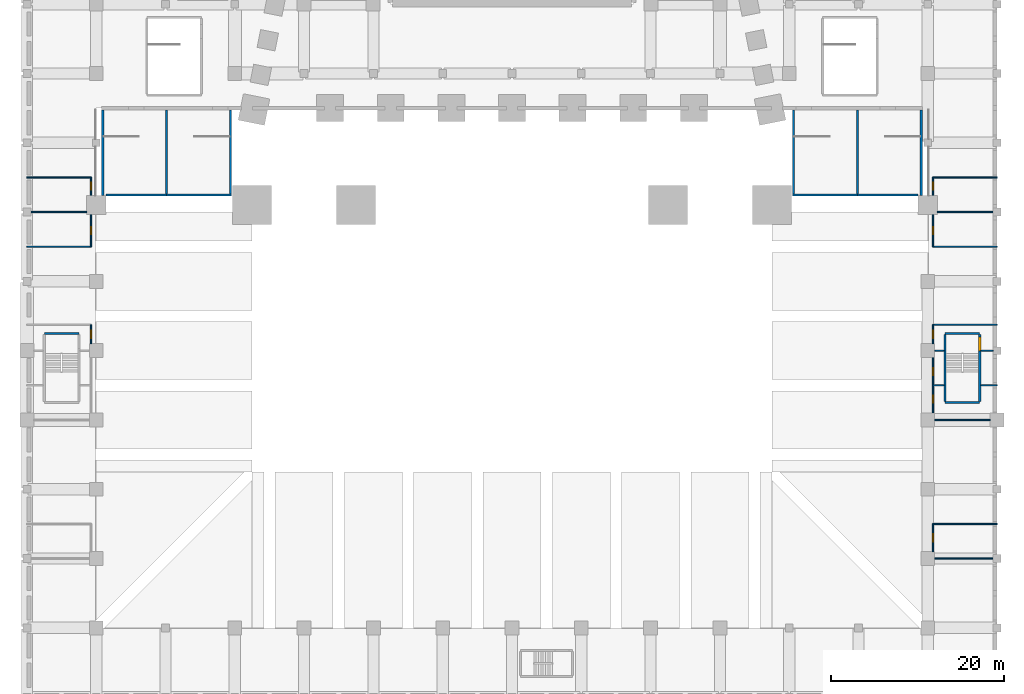
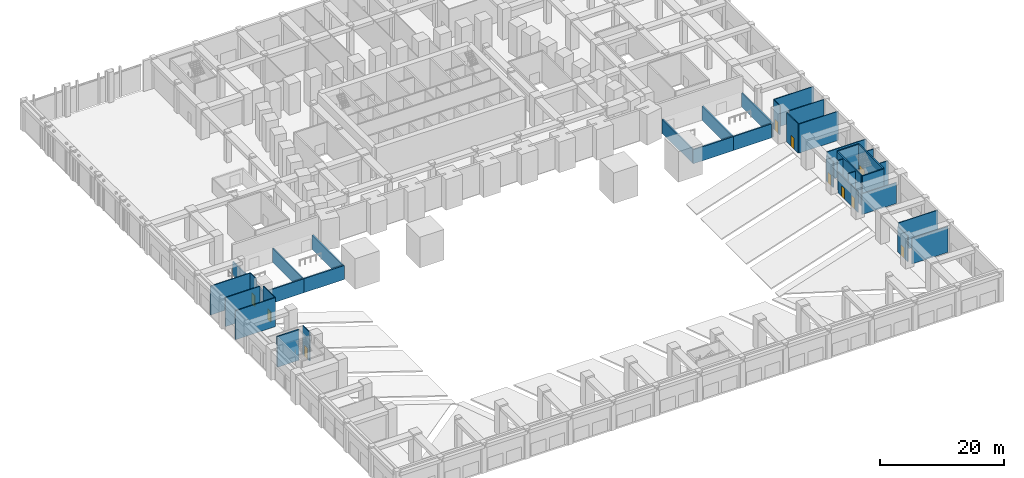
# One storey, part 9 of 28: 37 walls, 10 doors, 10 openings.
"""IFC4 building model written with IfcOpenShell, lengths in metres."""

from ifc_helpers import new_model, si_unit, direction, frame, frame_2d, origin, place, context, subcontext, project, spatial, rectangle, extrude, material, layer, layer_set, type_object, element, fill, save


model = new_model("IFC4")

# Units and contexts
model_context = context("Model", 3, precision=1e-05, world=origin(), true_north=direction((0.0, 1.0)))
body_context = subcontext(model_context, "Body", "Model", "MODEL_VIEW")
ifc_project = project(units=[si_unit("LENGTHUNIT", "METRE"), si_unit("AREAUNIT", "SQUARE_METRE"), si_unit("VOLUMEUNIT", "CUBIC_METRE"), si_unit("PLANEANGLEUNIT", "RADIAN"), si_unit("MASSUNIT", "GRAM", prefix="KILO")], contexts=[model_context])

# Site, building, storey
site_placement = place(None, origin())
site = spatial("IfcSite", under=ifc_project, at=site_placement, CompositionType="ELEMENT")
building_placement = place(site_placement, origin())
building = spatial("IfcBuilding", under=site, at=building_placement, Name="Isbrekke Arena Tower", CompositionType="ELEMENT")
storey_placement = place(building_placement, origin())
storey = spatial("IfcBuildingStorey", under=building, at=storey_placement, Name="L00", CompositionType="ELEMENT", Elevation=0.0)

# Wall, opening, door
ifc_material_1 = material(Name="Gypsum board partition on steel studs", Category="steel")
ifc_layer_1 = layer(ifc_material_1, 0.14990234375)
ifc_layer_set_1 = layer_set([ifc_layer_1], Name="IW1 PARTITION 150")
wall_type_1 = type_object("IfcWallType", Name="IW1 PARTITION 150", PredefinedType="PARTITIONING", material=ifc_layer_set_1)
wall_1_placement = place(storey_placement, frame((-48.60009765625, -33.18994140625, 0.0), z_axis=(0.0, 0.0, 1.0), x_axis=(0.0, 1.0, 0.0)))
wall_1 = element("IfcWall", 1, at=wall_1_placement, inside=storey, type_object=wall_type_1, Name="IW1 partition L00", PredefinedType="PARTITIONING", context=body_context, shape_type="SweptSolid", body=[
    extrude(rectangle(XDim=2.18994140625, YDim=0.14990234375, at=frame_2d((1.094970703125, 0.0))), origin(), (0.0, 0.0, 1.0), 5.699951171875),
])
opening_1_placement = place(wall_1_placement, frame((0.594970703125, 0.0, 0.0)))
opening_1 = element("IfcOpeningElement", 2, at=opening_1_placement, cuts=wall_1, Name="Opening D6", PredefinedType="OPENING", context=body_context, shape_type="SweptSolid", body=[
    extrude(rectangle(XDim=1.0, YDim=2.10009765625, at=frame_2d((0.5, 1.050048828125))), frame((0.0, 0.08984375, 0.0), z_axis=(0.0, -1.0, 0.0), x_axis=(1.0, 0.0, 0.0)), (0.0, 0.0, 1.0), 0.1796875),
])
ifc_material_2 = material(Name="Timber door", Category="wood")
door_type_1 = type_object("IfcDoorType", Name="D6 ROOM DOOR 1000 x 2100", OperationType="SINGLE_SWING_LEFT", PredefinedType="DOOR", material=ifc_material_2)
door_1_placement = place(opening_1_placement, origin())
door_1 = element("IfcDoor", 3, at=door_1_placement, inside=storey, type_object=door_type_1, Name="D6 door L00-30", OperationType="SINGLE_SWING_LEFT", OverallHeight=2.10009765625, OverallWidth=1.0, PredefinedType="DOOR", context=body_context, shape_type="SweptSolid", body=[
    extrude(rectangle(XDim=1.0, YDim=2.10009765625, at=frame_2d((0.5, 1.050048828125))), frame((0.0, 0.07470703125, 0.0), z_axis=(0.0, -1.0, 0.0), x_axis=(1.0, 0.0, 0.0)), (0.0, 0.0, 1.0), 0.1494140625),
])
fill(opening_1, door_1)

wall_2_placement = place(storey_placement, frame((-48.60009765625, -22.0, 0.0), z_axis=(0.0, 0.0, 1.0), x_axis=(0.0, 1.0, 0.0)))
wall_2 = element("IfcWall", 4, at=wall_2_placement, inside=storey, type_object=wall_type_1, Name="IW1 partition L00", PredefinedType="PARTITIONING", context=body_context, shape_type="SweptSolid", body=[
    extrude(rectangle(XDim=3.715087890625, YDim=0.14990234375, at=frame_2d((1.857421875, 0.0))), origin(), (0.0, 0.0, 1.0), 5.699951171875),
])
opening_2_placement = place(wall_2_placement, frame((1.357421875, 0.0, 0.0)))
opening_2 = element("IfcOpeningElement", 5, at=opening_2_placement, cuts=wall_2, Name="Opening D6", PredefinedType="OPENING", context=body_context, shape_type="SweptSolid", body=[
    extrude(rectangle(XDim=1.0, YDim=2.10009765625, at=frame_2d((0.5, 1.050048828125))), frame((0.0, 0.08984375, 0.0), z_axis=(0.0, -1.0, 0.0), x_axis=(1.0, 0.0, 0.0)), (0.0, 0.0, 1.0), 0.1796875),
])
door_2_placement = place(opening_2_placement, origin())
door_2 = element("IfcDoor", 6, at=door_2_placement, inside=storey, type_object=door_type_1, Name="D6 door L00-16", OperationType="SINGLE_SWING_LEFT", OverallHeight=2.10009765625, OverallWidth=1.0, PredefinedType="DOOR", context=body_context, shape_type="SweptSolid", body=[
    extrude(rectangle(XDim=1.0, YDim=2.10009765625, at=frame_2d((0.5, 1.050048828125))), frame((0.0, 0.07470703125, 0.0), z_axis=(0.0, -1.0, 0.0), x_axis=(1.0, 0.0, 0.0)), (0.0, 0.0, 1.0), 0.1494140625),
])
fill(opening_2, door_2)

wall_3_placement = place(storey_placement, frame((-48.60009765625, -16.06494140625, 0.0), z_axis=(0.0, 0.0, 1.0), x_axis=(0.0, 1.0, 0.0)))
wall_3 = element("IfcWall", 7, at=wall_3_placement, inside=storey, type_object=wall_type_1, Name="IW1 partition L00", PredefinedType="PARTITIONING", context=body_context, shape_type="SweptSolid", body=[
    extrude(rectangle(XDim=2.06494140625, YDim=0.14990234375, at=frame_2d((1.032470703125, 0.0))), origin(), (0.0, 0.0, 1.0), 5.699951171875),
])
opening_3_placement = place(wall_3_placement, frame((0.56494140625, 0.0, 0.0)))
opening_3 = element("IfcOpeningElement", 8, at=opening_3_placement, cuts=wall_3, Name="Opening D6", PredefinedType="OPENING", context=body_context, shape_type="SweptSolid", body=[
    extrude(rectangle(XDim=1.0, YDim=2.10009765625, at=frame_2d((0.5, 1.050048828125))), frame((0.0, 0.08984375, 0.0), z_axis=(0.0, -1.0, 0.0), x_axis=(1.0, 0.0, 0.0)), (0.0, 0.0, 1.0), 0.1796875),
])
door_3_placement = place(opening_3_placement, origin())
door_3 = element("IfcDoor", 9, at=door_3_placement, inside=storey, type_object=door_type_1, Name="D6 door L00-17", OperationType="SINGLE_SWING_LEFT", OverallHeight=2.10009765625, OverallWidth=1.0, PredefinedType="DOOR", context=body_context, shape_type="SweptSolid", body=[
    extrude(rectangle(XDim=1.0, YDim=2.10009765625, at=frame_2d((0.5, 1.050048828125))), frame((0.0, 0.07470703125, 0.0), z_axis=(0.0, -1.0, 0.0), x_axis=(1.0, 0.0, 0.0)), (0.0, 0.0, 1.0), 0.1494140625),
])
fill(opening_3, door_3)

wall_4_placement = place(storey_placement, frame((48.60009765625, -57.18994140625, 0.0), z_axis=(0.0, 0.0, 1.0), x_axis=(0.0, 1.0, 0.0)))
wall_4 = element("IfcWall", 10, at=wall_4_placement, inside=storey, type_object=wall_type_1, Name="IW1 partition L00", PredefinedType="PARTITIONING", context=body_context, shape_type="SweptSolid", body=[
    extrude(rectangle(XDim=3.18994140625, YDim=0.14990234375, at=frame_2d((1.594970703125, 0.0))), origin(), (0.0, 0.0, 1.0), 5.050048828125),
])
opening_4_placement = place(wall_4_placement, frame((1.094970703125, 0.0, 0.0)))
opening_4 = element("IfcOpeningElement", 11, at=opening_4_placement, cuts=wall_4, Name="Opening D6", PredefinedType="OPENING", context=body_context, shape_type="SweptSolid", body=[
    extrude(rectangle(XDim=1.0, YDim=2.10009765625, at=frame_2d((0.5, 1.050048828125))), frame((0.0, 0.08984375, 0.0), z_axis=(0.0, -1.0, 0.0), x_axis=(1.0, 0.0, 0.0)), (0.0, 0.0, 1.0), 0.1796875),
])
door_4_placement = place(opening_4_placement, origin())
door_4 = element("IfcDoor", 12, at=door_4_placement, inside=storey, type_object=door_type_1, Name="D6 door L00-12", OperationType="SINGLE_SWING_LEFT", OverallHeight=2.10009765625, OverallWidth=1.0, PredefinedType="DOOR", context=body_context, shape_type="SweptSolid", body=[
    extrude(rectangle(XDim=1.0, YDim=2.10009765625, at=frame_2d((0.5, 1.050048828125))), frame((0.0, 0.07470703125, 0.0), z_axis=(0.0, -1.0, 0.0), x_axis=(1.0, 0.0, 0.0)), (0.0, 0.0, 1.0), 0.1494140625),
])
fill(opening_4, door_4)

# Wall, openings, doors
wall_5_placement = place(storey_placement, frame((48.60009765625, -41.18994140625, 0.0), z_axis=(0.0, 0.0, 1.0), x_axis=(0.0, 1.0, 0.0)))
wall_5 = element("IfcWall", 13, at=wall_5_placement, inside=storey, type_object=wall_type_1, Name="IW1 partition L00", PredefinedType="PARTITIONING", context=body_context, shape_type="SweptSolid", body=[
    extrude(rectangle(XDim=6.3798828125, YDim=0.14990234375, at=frame_2d((3.18994140625, 0.0))), origin(), (0.0, 0.0, 1.0), 4.10009765625),
])
opening_5_placement = place(wall_5_placement, frame((1.094970703125, 0.0, 0.0)))
opening_5 = element("IfcOpeningElement", 14, at=opening_5_placement, cuts=wall_5, Name="Opening D6", PredefinedType="OPENING", context=body_context, shape_type="SweptSolid", body=[
    extrude(rectangle(XDim=1.0, YDim=2.10009765625, at=frame_2d((0.5, 1.050048828125))), frame((0.0, 0.08984375, 0.0), z_axis=(0.0, -1.0, 0.0), x_axis=(1.0, 0.0, 0.0)), (0.0, 0.0, 1.0), 0.1796875),
])
opening_6_placement = place(wall_5_placement, frame((4.284912109375, 0.0, 0.0)))
opening_6 = element("IfcOpeningElement", 15, at=opening_6_placement, cuts=wall_5, Name="Opening D6", PredefinedType="OPENING", context=body_context, shape_type="SweptSolid", body=[
    extrude(rectangle(XDim=1.0, YDim=2.10009765625, at=frame_2d((0.5, 1.050048828125))), frame((0.0, 0.08984375, 0.0), z_axis=(0.0, -1.0, 0.0), x_axis=(1.0, 0.0, 0.0)), (0.0, 0.0, 1.0), 0.1796875),
])
door_5_placement = place(opening_5_placement, origin())
door_5 = element("IfcDoor", 16, at=door_5_placement, inside=storey, type_object=door_type_1, Name="D6 door L00-24", OperationType="SINGLE_SWING_LEFT", OverallHeight=2.10009765625, OverallWidth=1.0, PredefinedType="DOOR", context=body_context, shape_type="SweptSolid", body=[
    extrude(rectangle(XDim=1.0, YDim=2.10009765625, at=frame_2d((0.5, 1.050048828125))), frame((0.0, 0.07470703125, 0.0), z_axis=(0.0, -1.0, 0.0), x_axis=(1.0, 0.0, 0.0)), (0.0, 0.0, 1.0), 0.1494140625),
])
fill(opening_5, door_5)
door_6_placement = place(opening_6_placement, origin())
door_6 = element("IfcDoor", 17, at=door_6_placement, inside=storey, type_object=door_type_1, Name="D6 door L00-25", OperationType="SINGLE_SWING_LEFT", OverallHeight=2.10009765625, OverallWidth=1.0, PredefinedType="DOOR", context=body_context, shape_type="SweptSolid", body=[
    extrude(rectangle(XDim=1.0, YDim=2.10009765625, at=frame_2d((0.5, 1.050048828125))), frame((0.0, 0.07470703125, 0.0), z_axis=(0.0, -1.0, 0.0), x_axis=(1.0, 0.0, 0.0)), (0.0, 0.0, 1.0), 0.1494140625),
])
fill(opening_6, door_6)

# Wall, opening, door
wall_6_placement = place(storey_placement, frame((48.60009765625, -33.18994140625, 0.0), z_axis=(0.0, 0.0, 1.0), x_axis=(0.0, 1.0, 0.0)))
wall_6 = element("IfcWall", 18, at=wall_6_placement, inside=storey, type_object=wall_type_1, Name="IW1 partition L00", PredefinedType="PARTITIONING", context=body_context, shape_type="SweptSolid", body=[
    extrude(rectangle(XDim=2.18994140625, YDim=0.14990234375, at=frame_2d((1.094970703125, 0.0))), origin(), (0.0, 0.0, 1.0), 5.050048828125),
])
opening_7_placement = place(wall_6_placement, frame((0.594970703125, 0.0, 0.0)))
opening_7 = element("IfcOpeningElement", 19, at=opening_7_placement, cuts=wall_6, Name="Opening D6", PredefinedType="OPENING", context=body_context, shape_type="SweptSolid", body=[
    extrude(rectangle(XDim=1.0, YDim=2.10009765625, at=frame_2d((0.5, 1.050048828125))), frame((0.0, 0.08984375, 0.0), z_axis=(0.0, -1.0, 0.0), x_axis=(1.0, 0.0, 0.0)), (0.0, 0.0, 1.0), 0.1796875),
])
door_7_placement = place(opening_7_placement, origin())
door_7 = element("IfcDoor", 20, at=door_7_placement, inside=storey, type_object=door_type_1, Name="D6 door L00-26", OperationType="SINGLE_SWING_LEFT", OverallHeight=2.10009765625, OverallWidth=1.0, PredefinedType="DOOR", context=body_context, shape_type="SweptSolid", body=[
    extrude(rectangle(XDim=1.0, YDim=2.10009765625, at=frame_2d((0.5, 1.050048828125))), frame((0.0, 0.07470703125, 0.0), z_axis=(0.0, -1.0, 0.0), x_axis=(1.0, 0.0, 0.0)), (0.0, 0.0, 1.0), 0.1494140625),
])
fill(opening_7, door_7)

wall_7_placement = place(storey_placement, frame((48.60009765625, -22.0, 0.0), z_axis=(0.0, 0.0, 1.0), x_axis=(0.0, 1.0, 0.0)))
wall_7 = element("IfcWall", 21, at=wall_7_placement, inside=storey, type_object=wall_type_1, Name="IW1 partition L00", PredefinedType="PARTITIONING", context=body_context, shape_type="SweptSolid", body=[
    extrude(rectangle(XDim=3.715087890625, YDim=0.14990234375, at=frame_2d((1.857421875, 0.0))), origin(), (0.0, 0.0, 1.0), 5.699951171875),
])
opening_8_placement = place(wall_7_placement, frame((1.357421875, 0.0, 0.0)))
opening_8 = element("IfcOpeningElement", 22, at=opening_8_placement, cuts=wall_7, Name="Opening D6", PredefinedType="OPENING", context=body_context, shape_type="SweptSolid", body=[
    extrude(rectangle(XDim=1.0, YDim=2.10009765625, at=frame_2d((0.5, 1.050048828125))), frame((0.0, 0.08984375, 0.0), z_axis=(0.0, -1.0, 0.0), x_axis=(1.0, 0.0, 0.0)), (0.0, 0.0, 1.0), 0.1796875),
])
door_8_placement = place(opening_8_placement, origin())
door_8 = element("IfcDoor", 23, at=door_8_placement, inside=storey, type_object=door_type_1, Name="D6 door L00-13", OperationType="SINGLE_SWING_LEFT", OverallHeight=2.10009765625, OverallWidth=1.0, PredefinedType="DOOR", context=body_context, shape_type="SweptSolid", body=[
    extrude(rectangle(XDim=1.0, YDim=2.10009765625, at=frame_2d((0.5, 1.050048828125))), frame((0.0, 0.07470703125, 0.0), z_axis=(0.0, -1.0, 0.0), x_axis=(1.0, 0.0, 0.0)), (0.0, 0.0, 1.0), 0.1494140625),
])
fill(opening_8, door_8)

wall_8_placement = place(storey_placement, frame((48.60009765625, -16.06494140625, 0.0), z_axis=(0.0, 0.0, 1.0), x_axis=(0.0, 1.0, 0.0)))
wall_8 = element("IfcWall", 24, at=wall_8_placement, inside=storey, type_object=wall_type_1, Name="IW1 partition L00", PredefinedType="PARTITIONING", context=body_context, shape_type="SweptSolid", body=[
    extrude(rectangle(XDim=2.06494140625, YDim=0.14990234375, at=frame_2d((1.032470703125, 0.0))), origin(), (0.0, 0.0, 1.0), 5.699951171875),
])
opening_9_placement = place(wall_8_placement, frame((0.56494140625, 0.0, 0.0)))
opening_9 = element("IfcOpeningElement", 25, at=opening_9_placement, cuts=wall_8, Name="Opening D6", PredefinedType="OPENING", context=body_context, shape_type="SweptSolid", body=[
    extrude(rectangle(XDim=1.0, YDim=2.10009765625, at=frame_2d((0.5, 1.050048828125))), frame((0.0, 0.08984375, 0.0), z_axis=(0.0, -1.0, 0.0), x_axis=(1.0, 0.0, 0.0)), (0.0, 0.0, 1.0), 0.1796875),
])
door_9_placement = place(opening_9_placement, origin())
door_9 = element("IfcDoor", 26, at=door_9_placement, inside=storey, type_object=door_type_1, Name="D6 door L00-14", OperationType="SINGLE_SWING_LEFT", OverallHeight=2.10009765625, OverallWidth=1.0, PredefinedType="DOOR", context=body_context, shape_type="SweptSolid", body=[
    extrude(rectangle(XDim=1.0, YDim=2.10009765625, at=frame_2d((0.5, 1.050048828125))), frame((0.0, 0.07470703125, 0.0), z_axis=(0.0, -1.0, 0.0), x_axis=(1.0, 0.0, 0.0)), (0.0, 0.0, 1.0), 0.1494140625),
])
fill(opening_9, door_9)

# Walls
wall_9_placement = place(storey_placement, frame((48.81005859375, -58.0, 0.0), z_axis=(0.0, 0.0, 1.0), x_axis=(1.0, 0.0, 0.0)))
element("IfcWall", 27, at=wall_9_placement, inside=storey, type_object=wall_type_1, Name="IW1 partition L00", PredefinedType="PARTITIONING", context=body_context, shape_type="SweptSolid", body=[
    extrude(rectangle(XDim=6.72998046875, YDim=0.14990234375, at=frame_2d((3.364990234375, 0.0))), origin(), (0.0, 0.0, 1.0), 5.050048828125),
])
wall_10_placement = place(storey_placement, frame((48.60009765625, -54.0, 0.0), z_axis=(0.0, 0.0, 1.0), x_axis=(1.0, 0.0, 0.0)))
element("IfcWall", 28, at=wall_10_placement, inside=storey, type_object=wall_type_1, Name="IW1 partition L00", PredefinedType="PARTITIONING", context=body_context, shape_type="SweptSolid", body=[
    extrude(rectangle(XDim=7.39990234375, YDim=0.14990234375, at=frame_2d((3.699951171875, 0.0))), origin(), (0.0, 0.0, 1.0), 5.699951171875),
])
wall_11_placement = place(storey_placement, frame((48.81005859375, -42.0, 0.0), z_axis=(0.0, 0.0, 1.0), x_axis=(1.0, 0.0, 0.0)))
element("IfcWall", 29, at=wall_11_placement, inside=storey, type_object=wall_type_1, Name="IW1 partition L00", PredefinedType="PARTITIONING", context=body_context, shape_type="SweptSolid", body=[
    extrude(rectangle(XDim=6.3798828125, YDim=0.14990234375, at=frame_2d((3.18994140625, 0.0))), origin(), (0.0, 0.0, 1.0), 4.10009765625),
])
wall_12_placement = place(storey_placement, frame((48.60009765625, -38.0, 0.0), z_axis=(0.0, 0.0, 1.0), x_axis=(1.0, 0.0, 0.0)))
element("IfcWall", 30, at=wall_12_placement, inside=storey, type_object=wall_type_1, Name="IW1 partition L00", PredefinedType="PARTITIONING", context=body_context, shape_type="SweptSolid", body=[
    extrude(rectangle(XDim=1.27490234375, YDim=0.14990234375, at=frame_2d((0.637451171875, 0.0))), origin(), (0.0, 0.0, 1.0), 5.699951171875),
])
wall_13_placement = place(storey_placement, frame((54.125, -38.0, 0.0), z_axis=(0.0, 0.0, 1.0), x_axis=(1.0, 0.0, 0.0)))
element("IfcWall", 31, at=wall_13_placement, inside=storey, type_object=wall_type_1, Name="IW1 partition L00", PredefinedType="PARTITIONING", context=body_context, shape_type="SweptSolid", body=[
    extrude(rectangle(XDim=1.875, YDim=0.14990234375, at=frame_2d((0.9375, 0.0))), origin(), (0.0, 0.0, 1.0), 5.699951171875),
])
wall_14_placement = place(storey_placement, frame((48.81005859375, -34.0, 0.0), z_axis=(0.0, 0.0, 1.0), x_axis=(1.0, 0.0, 0.0)))
element("IfcWall", 32, at=wall_14_placement, inside=storey, type_object=wall_type_1, Name="IW1 partition L00", PredefinedType="PARTITIONING", context=body_context, shape_type="SweptSolid", body=[
    extrude(rectangle(XDim=1.06494140625, YDim=0.14990234375, at=frame_2d((0.532470703125, 0.0))), origin(), (0.0, 0.0, 1.0), 5.699951171875),
])
wall_15_placement = place(storey_placement, frame((54.125, -34.0, 0.0), z_axis=(0.0, 0.0, 1.0), x_axis=(1.0, 0.0, 0.0)))
element("IfcWall", 33, at=wall_15_placement, inside=storey, type_object=wall_type_1, Name="IW1 partition L00", PredefinedType="PARTITIONING", context=body_context, shape_type="SweptSolid", body=[
    extrude(rectangle(XDim=1.4150390625, YDim=0.14990234375, at=frame_2d((0.70751953125, 0.0))), origin(), (0.0, 0.0, 1.0), 5.699951171875),
])
for number, where, z_axis, x_axis, name in (
    (34, (48.60009765625, -31.0, 0.0), (0.0, 0.0, 1.0), (1.0, 0.0, 0.0), "IW1 partition L00"),
    (35, (-56.0, -22.0, 0.0), (0.0, 0.0, 1.0), (1.0, 0.0, 0.0), "IW1 partition L00"),
    (36, (48.60009765625, -22.0, 0.0), (0.0, 0.0, 1.0), (1.0, 0.0, 0.0), "IW1 partition L00"),
):
    element("IfcWall", number, at=place(storey_placement, frame(where, z_axis=z_axis, x_axis=x_axis)), inside=storey, type_object=wall_type_1, Name=name, PredefinedType="PARTITIONING", context=body_context, shape_type="SweptSolid", body=[
        extrude(rectangle(XDim=7.39990234375, YDim=0.14990234375, at=frame_2d((3.699951171875, 0.0))), origin(), (0.0, 0.0, 1.0), 5.699951171875),
    ])
for number, where, z_axis, x_axis, name in (
    (37, (-55.5400390625, -18.0, 0.0), (0.0, 0.0, 1.0), (1.0, 0.0, 0.0), "IW1 partition L00"),
    (38, (49.110107421875, -18.0, 0.0), (0.0, 0.0, 1.0), (1.0, 0.0, 0.0), "IW1 partition L00"),
):
    element("IfcWall", number, at=place(storey_placement, frame(where, z_axis=z_axis, x_axis=x_axis)), inside=storey, type_object=wall_type_1, Name=name, PredefinedType="PARTITIONING", context=body_context, shape_type="SweptSolid", body=[
        extrude(rectangle(XDim=6.429931640625, YDim=0.14990234375, at=frame_2d((3.21484375, 0.0))), origin(), (0.0, 0.0, 1.0), 5.699951171875),
    ])
for number, where, z_axis, x_axis, name in (
    (39, (-56.0, -14.0, 0.0), (0.0, 0.0, 1.0), (1.0, 0.0, 0.0), "IW1 partition L00"),
    (40, (48.60009765625, -14.0, 0.0), (0.0, 0.0, 1.0), (1.0, 0.0, 0.0), "IW1 partition L00"),
):
    element("IfcWall", number, at=place(storey_placement, frame(where, z_axis=z_axis, x_axis=x_axis)), inside=storey, type_object=wall_type_1, Name=name, PredefinedType="PARTITIONING", context=body_context, shape_type="SweptSolid", body=[
        extrude(rectangle(XDim=7.39990234375, YDim=0.14990234375, at=frame_2d((3.699951171875, 0.0))), origin(), (0.0, 0.0, 1.0), 5.699951171875),
    ])
ifc_material_3 = material(Name="Concrete B45 (C45/55)", Category="concrete")
ifc_layer_2 = layer(ifc_material_3, 0.25)
ifc_layer_set_2 = layer_set([ifc_layer_2], Name="SW1 STAIR ENCLOSURE WALL 250")
wall_type_2 = type_object("IfcWallType", Name="SW1 STAIR ENCLOSURE WALL 250", PredefinedType="SOLIDWALL", material=ifc_layer_set_2)
for number, where, z_axis, x_axis, name in (
    (41, (50.0, -40.0, 0.0), (0.0, 0.0, 1.0), (1.0, 0.0, 0.0), "SW1 stair wall P3 S L00"),
    (42, (54.0, -32.0, 0.0), (0.0, 0.0, 1.0), (-1.0, 0.0, 0.0), "SW1 stair wall P3 N L00"),
):
    element("IfcWall", number, at=place(storey_placement, frame(where, z_axis=z_axis, x_axis=x_axis)), inside=storey, type_object=wall_type_2, Name=name, PredefinedType="SOLIDWALL", context=body_context, shape_type="SweptSolid", body=[
        extrude(rectangle(XDim=4.0, YDim=0.25, at=frame_2d((2.0, 0.0))), origin(), (0.0, 0.0, 1.0), 6.0),
    ])

# Wall, opening, door
wall_16_placement = place(storey_placement, frame((54.0, -39.875, 0.0), z_axis=(0.0, 0.0, 1.0), x_axis=(0.0, 1.0, 0.0)))
wall_16 = element("IfcWall", 43, at=wall_16_placement, inside=storey, type_object=wall_type_2, Name="SW1 stair wall P3 E L00", PredefinedType="SOLIDWALL", context=body_context, shape_type="SweptSolid", body=[
    extrude(rectangle(XDim=7.75, YDim=0.25, at=frame_2d((3.875, 0.0))), origin(), (0.0, 0.0, 1.0), 6.0),
])
opening_10_placement = place(wall_16_placement, frame((5.85009765625, 0.0, 0.0)))
opening_10 = element("IfcOpeningElement", 44, at=opening_10_placement, cuts=wall_16, Name="Opening D7", PredefinedType="OPENING", context=body_context, shape_type="SweptSolid", body=[
    extrude(rectangle(XDim=1.60009765625, YDim=2.10009765625, at=frame_2d((0.800048828125, 1.050048828125))), frame((0.0, 0.139892578125, 0.0), z_axis=(0.0, -1.0, 0.0), x_axis=(1.0, 0.0, 0.0)), (0.0, 0.0, 1.0), 0.27978515625),
])
ifc_material_4 = material(Name="Steel fire door", Category="steel")
door_type_2 = type_object("IfcDoorType", Name="D7 PODIUM STAIR DOOR 1600 x 2100", OperationType="DOUBLE_DOOR_SINGLE_SWING", PredefinedType="DOOR", material=ifc_material_4)
door_10_placement = place(opening_10_placement, origin())
door_10 = element("IfcDoor", 45, at=door_10_placement, inside=storey, type_object=door_type_2, Name="D7 stair door P3 L00", OperationType="DOUBLE_DOOR_SINGLE_SWING", OverallHeight=2.10009765625, OverallWidth=1.60009765625, PredefinedType="DOOR", context=body_context, shape_type="SweptSolid", body=[
    extrude(rectangle(XDim=1.60009765625, YDim=2.10009765625, at=frame_2d((0.800048828125, 1.050048828125))), frame((0.0, 0.124755859375, 0.0), z_axis=(0.0, -1.0, 0.0), x_axis=(1.0, 0.0, 0.0)), (0.0, 0.0, 1.0), 0.24951171875),
])
fill(opening_10, door_10)

# Walls
wall_17_placement = place(storey_placement, frame((50.0, -32.125, 0.0), z_axis=(0.0, 0.0, 1.0), x_axis=(0.0, -1.0, 0.0)))
element("IfcWall", 46, at=wall_17_placement, inside=storey, type_object=wall_type_2, Name="SW1 stair wall P3 W L00", PredefinedType="SOLIDWALL", context=body_context, shape_type="SweptSolid", body=[
    extrude(rectangle(XDim=7.75, YDim=0.25, at=frame_2d((3.875, 0.0))), origin(), (0.0, 0.0, 1.0), 6.0),
])
wall_18_placement = place(storey_placement, frame((-50.0, -32.0, 0.0), z_axis=(0.0, 0.0, 1.0), x_axis=(-1.0, 0.0, 0.0)))
element("IfcWall", 47, at=wall_18_placement, inside=storey, type_object=wall_type_2, Name="SW1 stair wall P4 N L00", PredefinedType="SOLIDWALL", context=body_context, shape_type="SweptSolid", body=[
    extrude(rectangle(XDim=4.0, YDim=0.25, at=frame_2d((2.0, 0.0))), origin(), (0.0, 0.0, 1.0), 6.0),
])
ifc_material_5 = material(Name="Concrete B45 (C45/55)", Category="concrete")
ifc_layer_3 = layer(ifc_material_5, 0.25)
ifc_layer_set_3 = layer_set([ifc_layer_3], Name="SW2 EXIT STAIR WALL 250")
wall_type_3 = type_object("IfcWallType", Name="SW2 EXIT STAIR WALL 250", PredefinedType="SOLIDWALL", material=ifc_layer_set_3)
wall_19_placement = place(storey_placement, frame((32.375, -16.02490234375, 0.0), z_axis=(0.0, 0.0, 1.0), x_axis=(1.0, 0.0, 0.0)))
element("IfcWall", 48, at=wall_19_placement, inside=storey, type_object=wall_type_3, Name="SW2 exit stair wall ES1 L00", PredefinedType="SOLIDWALL", context=body_context, shape_type="SweptSolid", body=[
    extrude(rectangle(XDim=7.5, YDim=0.25, at=frame_2d((3.75, 0.0))), origin(), (0.0, 0.0, 1.0), 2.75),
])
wall_20_placement = place(storey_placement, frame((39.875, -16.02490234375, 0.0), z_axis=(0.0, 0.0, 1.0), x_axis=(1.0, 0.0, 0.0)))
element("IfcWall", 49, at=wall_20_placement, inside=storey, type_object=wall_type_3, Name="SW2 exit stair wall ES2 L00", PredefinedType="SOLIDWALL", context=body_context, shape_type="SweptSolid", body=[
    extrude(rectangle(XDim=7.02490234375, YDim=0.25, at=frame_2d((3.512451171875, 0.0))), origin(), (0.0, 0.0, 1.0), 2.75),
])
for number, where, z_axis, x_axis, name in (
    (50, (32.5, -15.89990234375, 0.0), (0.0, 0.0, 1.0), (0.0, 1.0, 0.0), "SW2 exit stair wall EW L00"),
    (51, (39.875, -15.89990234375, 0.0), (0.0, 0.0, 1.0), (0.0, 1.0, 0.0), "SW2 exit stair wall EM L00"),
):
    element("IfcWall", number, at=place(storey_placement, frame(where, z_axis=z_axis, x_axis=x_axis)), inside=storey, type_object=wall_type_3, Name=name, PredefinedType="SOLIDWALL", context=body_context, shape_type="SweptSolid", body=[
        extrude(rectangle(XDim=9.699951171875, YDim=0.25, at=frame_2d((4.85009765625, 0.0))), origin(), (0.0, 0.0, 1.0), 2.75),
    ])
wall_21_placement = place(storey_placement, frame((47.25, -16.074951171875, 0.0), z_axis=(0.0, 0.0, 1.0), x_axis=(0.0, 1.0, 0.0)))
element("IfcWall", 52, at=wall_21_placement, inside=storey, type_object=wall_type_3, Name="SW2 exit stair wall EE L00", PredefinedType="SOLIDWALL", context=body_context, shape_type="SweptSolid", body=[
    extrude(rectangle(XDim=9.875, YDim=0.25, at=frame_2d((4.9375, 0.0))), origin(), (0.0, 0.0, 1.0), 2.75),
])
wall_22_placement = place(storey_placement, frame((-32.375, -16.02490234375, 0.0), z_axis=(0.0, 0.0, 1.0), x_axis=(-1.0, 0.0, 0.0)))
element("IfcWall", 53, at=wall_22_placement, inside=storey, type_object=wall_type_3, Name="SW2 exit stair wall WS1 L00", PredefinedType="SOLIDWALL", context=body_context, shape_type="SweptSolid", body=[
    extrude(rectangle(XDim=7.5, YDim=0.25, at=frame_2d((3.75, 0.0))), origin(), (0.0, 0.0, 1.0), 2.75),
])
wall_23_placement = place(storey_placement, frame((-39.875, -16.02490234375, 0.0), z_axis=(0.0, 0.0, 1.0), x_axis=(-1.0, 0.0, 0.0)))
element("IfcWall", 54, at=wall_23_placement, inside=storey, type_object=wall_type_3, Name="SW2 exit stair wall WS2 L00", PredefinedType="SOLIDWALL", context=body_context, shape_type="SweptSolid", body=[
    extrude(rectangle(XDim=7.02490234375, YDim=0.25, at=frame_2d((3.512451171875, 0.0))), origin(), (0.0, 0.0, 1.0), 2.75),
])
for number, where, z_axis, x_axis, name in (
    (55, (-32.5, -15.89990234375, 0.0), (0.0, 0.0, 1.0), (0.0, 1.0, 0.0), "SW2 exit stair wall WW L00"),
    (56, (-39.875, -15.89990234375, 0.0), (0.0, 0.0, 1.0), (0.0, 1.0, 0.0), "SW2 exit stair wall WM L00"),
):
    element("IfcWall", number, at=place(storey_placement, frame(where, z_axis=z_axis, x_axis=x_axis)), inside=storey, type_object=wall_type_3, Name=name, PredefinedType="SOLIDWALL", context=body_context, shape_type="SweptSolid", body=[
        extrude(rectangle(XDim=9.699951171875, YDim=0.25, at=frame_2d((4.85009765625, 0.0))), origin(), (0.0, 0.0, 1.0), 2.75),
    ])
wall_24_placement = place(storey_placement, frame((-47.25, -16.074951171875, 0.0), z_axis=(0.0, 0.0, 1.0), x_axis=(0.0, 1.0, 0.0)))
element("IfcWall", 57, at=wall_24_placement, inside=storey, type_object=wall_type_3, Name="SW2 exit stair wall WE L00", PredefinedType="SOLIDWALL", context=body_context, shape_type="SweptSolid", body=[
    extrude(rectangle(XDim=9.875, YDim=0.25, at=frame_2d((4.9375, 0.0))), origin(), (0.0, 0.0, 1.0), 2.75),
])

save(model, "model.ifc")
